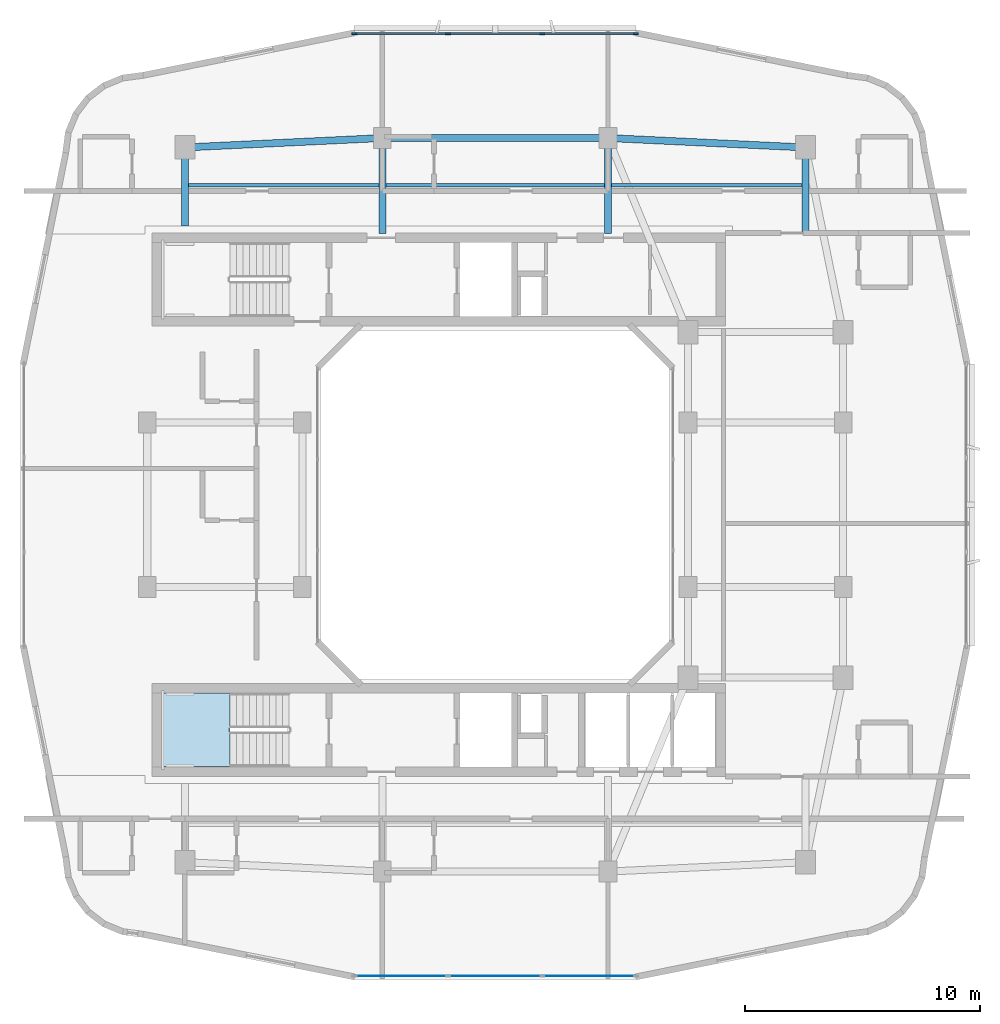
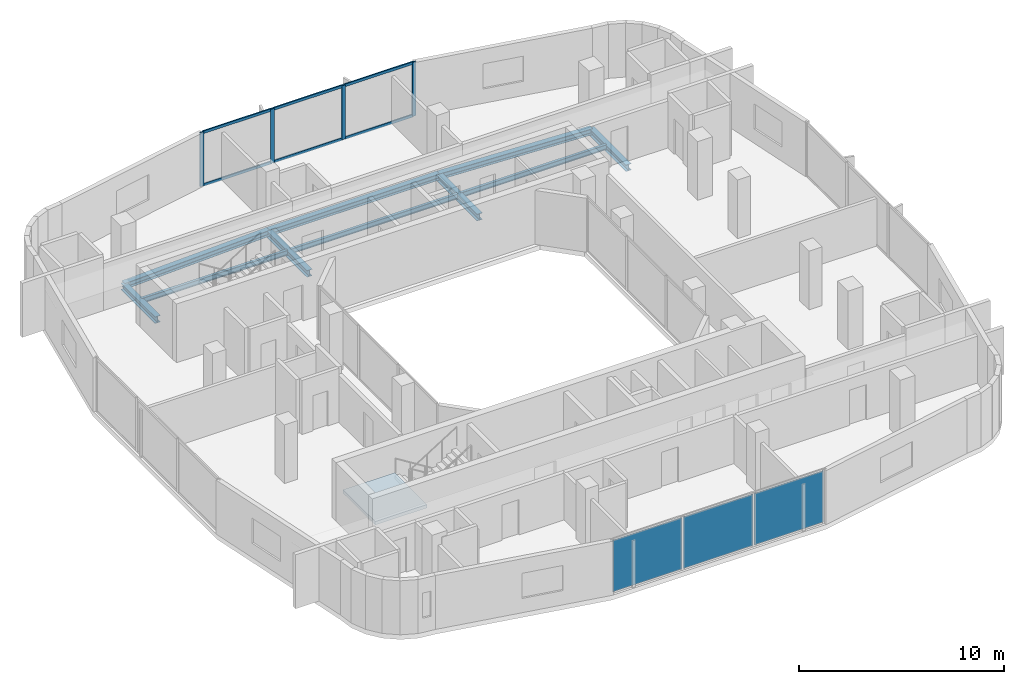
# One storey, part 5 of 14: 10 beams, 10 members, 3 plates, 1 slab, 3 elements without a shape of their own.
"""IFC4 building model written with IfcOpenShell, lengths in metres."""

from ifc_helpers import new_model, si_unit, derived_unit, direction, frame, origin, origin_2d, place, context, subcontext, project, spatial, polyline, rectangle, i_section, outline, extrude, material, layer, layer_set, material_profile, profile_set, type_object, element, aggregate, save


model = new_model("IFC4")

# Units and contexts
model_context = context("Model", 3, precision=1e-05, world=origin(), true_north=direction((0.0, 1.0)))
body_context = subcontext(model_context, "Body", "Model", "MODEL_VIEW")
ifc_project = project(units=[si_unit("LENGTHUNIT", "METRE"), si_unit("AREAUNIT", "SQUARE_METRE"), si_unit("VOLUMEUNIT", "CUBIC_METRE"), si_unit("PLANEANGLEUNIT", "RADIAN"), si_unit("MASSUNIT", "GRAM", prefix="KILO"), derived_unit("THERMALTRANSMITTANCEUNIT", [(si_unit("POWERUNIT", "WATT"), 1), (si_unit("LENGTHUNIT", "METRE"), -2), (si_unit("THERMODYNAMICTEMPERATUREUNIT", "KELVIN"), -1)])], contexts=[model_context])

# Site, building, storey
site_placement = place(None, origin())
site = spatial("IfcSite", under=ifc_project, at=site_placement, CompositionType="ELEMENT")
building_placement = place(site_placement, origin())
building = spatial("IfcBuilding", under=site, at=building_placement, Name="Kivonza Crest Hotel", CompositionType="ELEMENT")
storey_placement = place(building_placement, frame((0.0, 0.0, 145.0)))
storey = spatial("IfcBuildingStorey", under=building, at=storey_placement, Name="L39", CompositionType="ELEMENT", Elevation=145.0)

# Beams
ifc_material_1 = material(Name="Steel S355", Category="steel")
ifc_material_profile_1 = material_profile(ifc_material_1, i_section(OverallWidth=0.300048828125, OverallDepth=0.360107421875, WebThickness=0.012451171875, FlangeThickness=0.0224609375, FilletRadius=0.027099609375, at=origin_2d()), Name="HEB 360")
ifc_profile_set_1 = profile_set([ifc_material_profile_1], Name="Steel S355")
beam_type_1 = type_object("IfcBeamType", Name="BM-HEB360", PredefinedType="SPANDREL", material=ifc_profile_set_1)
beam_1_placement = place(storey_placement, frame((34.199951171875, 40.199951171875, -0.4599609375), z_axis=(-0.998867283688, 0.047583080799, 0.0), x_axis=(-0.047583080799, -0.998867283688, 0.0)))
element("IfcBeam", 1, at=beam_1_placement, inside=storey, type_object=beam_type_1, Name="Tower T1 L39 perimeter spandrel NE-N2", PredefinedType="SPANDREL", context=body_context, shape_type="SweptSolid", body=[
    extrude(i_section(OverallWidth=0.300048828125, OverallDepth=0.360107421875, WebThickness=0.012451171875, FlangeThickness=0.0224609375, FilletRadius=0.027099609375, at=origin_2d()), origin(), (0.0, 0.0, 1.0), 8.409423828125),
])
beam_2_placement = place(storey_placement, frame((25.800048828125, 40.60009765625, -0.4599609375), z_axis=(-1.0, 0.0, 0.0), x_axis=(0.0, -1.0, 0.0)))
element("IfcBeam", 2, at=beam_2_placement, inside=storey, type_object=beam_type_1, Name="Tower T1 L39 perimeter spandrel N2-N1", PredefinedType="SPANDREL", context=body_context, shape_type="SweptSolid", body=[
    extrude(i_section(OverallWidth=0.300048828125, OverallDepth=0.360107421875, WebThickness=0.012451171875, FlangeThickness=0.0224609375, FilletRadius=0.027099609375, at=origin_2d()), origin(), (0.0, 0.0, 1.0), 9.60009765625),
])
beam_3_placement = place(storey_placement, frame((16.199951171875, 40.60009765625, -0.4599609375), z_axis=(-0.998867283688, -0.047583080799, 0.0), x_axis=(0.047583080799, -0.998867283688, 0.0)))
element("IfcBeam", 3, at=beam_3_placement, inside=storey, type_object=beam_type_1, Name="Tower T1 L39 perimeter spandrel N1-NW", PredefinedType="SPANDREL", context=body_context, shape_type="SweptSolid", body=[
    extrude(i_section(OverallWidth=0.300048828125, OverallDepth=0.360107421875, WebThickness=0.012451171875, FlangeThickness=0.0224609375, FilletRadius=0.027099609375, at=origin_2d()), origin(), (0.0, 0.0, 1.0), 8.409423828125),
])
ifc_material_profile_2 = material_profile(ifc_material_1, i_section(OverallWidth=0.300048828125, OverallDepth=0.39990234375, WebThickness=0.013427734375, FlangeThickness=0.02392578125, FilletRadius=0.027099609375, at=origin_2d()), Name="HEB 400")
ifc_profile_set_2 = profile_set([ifc_material_profile_2], Name="Steel S355")
beam_type_2 = type_object("IfcBeamType", Name="BM-HEB400", PredefinedType="BEAM", material=ifc_profile_set_2)
beam_4_placement = place(storey_placement, frame((7.800048828125, 40.199951171875, -0.47998046875), z_axis=(0.0, -1.0, 0.0), x_axis=(1.0, 0.0, 0.0)))
element("IfcBeam", 4, at=beam_4_placement, inside=storey, type_object=beam_type_2, Name="Tower T1 L39 radial core girder RNW", PredefinedType="BEAM", context=body_context, shape_type="SweptSolid", body=[
    extrude(i_section(OverallWidth=0.300048828125, OverallDepth=0.39990234375, WebThickness=0.013427734375, FlangeThickness=0.02392578125, FilletRadius=0.027099609375, at=origin_2d()), origin(), (0.0, 0.0, 1.0), 3.349853515625),
])
for number, where, z_axis, x_axis, name in (
    (5, (16.199951171875, 40.60009765625, -0.47998046875), (0.0, -1.0, 0.0), (1.0, 0.0, 0.0), "Tower T1 L39 radial core girder RN1"),
    (6, (25.800048828125, 40.60009765625, -0.47998046875), (0.0, -1.0, 0.0), (1.0, 0.0, 0.0), "Tower T1 L39 radial core girder RN2"),
):
    element("IfcBeam", number, at=place(storey_placement, frame(where, z_axis=z_axis, x_axis=x_axis)), inside=storey, type_object=beam_type_2, Name=name, PredefinedType="BEAM", context=body_context, shape_type="SweptSolid", body=[
        extrude(i_section(OverallWidth=0.300048828125, OverallDepth=0.39990234375, WebThickness=0.013427734375, FlangeThickness=0.02392578125, FilletRadius=0.027099609375, at=origin_2d()), origin(), (0.0, 0.0, 1.0), 4.050048828125),
    ])
beam_5_placement = place(storey_placement, frame((34.199951171875, 40.199951171875, -0.47998046875), z_axis=(0.0, -1.0, 0.0), x_axis=(1.0, 0.0, 0.0)))
element("IfcBeam", 7, at=beam_5_placement, inside=storey, type_object=beam_type_2, Name="Tower T1 L39 radial core girder RNE", PredefinedType="BEAM", context=body_context, shape_type="SweptSolid", body=[
    extrude(i_section(OverallWidth=0.300048828125, OverallDepth=0.39990234375, WebThickness=0.013427734375, FlangeThickness=0.02392578125, FilletRadius=0.027099609375, at=origin_2d()), origin(), (0.0, 0.0, 1.0), 3.64990234375),
])
ifc_material_profile_3 = material_profile(ifc_material_1, i_section(OverallWidth=0.14990234375, OverallDepth=0.300048828125, WebThickness=0.007080078125, FlangeThickness=0.0107421875, FilletRadius=0.014892578125, at=origin_2d()), Name="IPE 300")
ifc_profile_set_3 = profile_set([ifc_material_profile_3], Name="Steel S355")
beam_type_3 = type_object("IfcBeamType", Name="BM-IPE300", PredefinedType="JOIST", material=ifc_profile_set_3)
beam_6_placement = place(storey_placement, frame((7.8798828125, 38.60009765625, -0.429931640625), z_axis=(1.0, 0.0, 0.0), x_axis=(0.0, 1.0, 0.0)))
element("IfcBeam", 8, at=beam_6_placement, inside=storey, type_object=beam_type_3, Name="Tower T1 L39 North-West floor joist", PredefinedType="JOIST", context=body_context, shape_type="SweptSolid", body=[
    extrude(i_section(OverallWidth=0.14990234375, OverallDepth=0.300048828125, WebThickness=0.007080078125, FlangeThickness=0.0107421875, FilletRadius=0.014892578125, at=origin_2d()), origin(), (0.0, 0.0, 1.0), 8.240234375),
])
beam_7_placement = place(storey_placement, frame((16.280029296875, 38.60009765625, -0.429931640625), z_axis=(1.0, 0.0, 0.0), x_axis=(0.0, 1.0, 0.0)))
element("IfcBeam", 9, at=beam_7_placement, inside=storey, type_object=beam_type_3, Name="Tower T1 L39 North-Mid floor joist", PredefinedType="JOIST", context=body_context, shape_type="SweptSolid", body=[
    extrude(i_section(OverallWidth=0.14990234375, OverallDepth=0.300048828125, WebThickness=0.007080078125, FlangeThickness=0.0107421875, FilletRadius=0.014892578125, at=origin_2d()), origin(), (0.0, 0.0, 1.0), 9.43994140625),
])
beam_8_placement = place(storey_placement, frame((25.8798828125, 38.60009765625, -0.429931640625), z_axis=(1.0, 0.0, 0.0), x_axis=(0.0, 1.0, 0.0)))
element("IfcBeam", 10, at=beam_8_placement, inside=storey, type_object=beam_type_3, Name="Tower T1 L39 North-East floor joist", PredefinedType="JOIST", context=body_context, shape_type="SweptSolid", body=[
    extrude(i_section(OverallWidth=0.14990234375, OverallDepth=0.300048828125, WebThickness=0.007080078125, FlangeThickness=0.0107421875, FilletRadius=0.014892578125, at=origin_2d()), origin(), (0.0, 0.0, 1.0), 8.240234375),
])

# Curtain wall, members
ifc_material_2 = material(Name="Anodised bronze aluminium and low-E double glazing", Category="aluminium")
ifc_layer_1 = layer(ifc_material_2, 0.179931640625)
ifc_layer_set_1 = layer_set([ifc_layer_1], Name="Anodised bronze aluminium and low-E double glazing")
curtain_wall_type = type_object("IfcCurtainWallType", Name="CW-SYS-3", PredefinedType="NOTDEFINED", material=ifc_layer_set_1)
curtain_wall_1_placement = place(storey_placement, origin())
curtain_wall_1 = element("IfcCurtainWall", 11, at=curtain_wall_1_placement, inside=storey, type_object=curtain_wall_type, Name="L39 unitised curtain wall CW-T1-L39-26", PredefinedType="NOTDEFINED")
ifc_material_3 = material(Name="Anodised bronze aluminium", Category="aluminium")
ifc_material_profile_4 = material_profile(ifc_material_3, rectangle(XDim=0.074951171875, YDim=0.219970703125, at=origin_2d()), Name="CW-M 75x220")
ifc_profile_set_4 = profile_set([ifc_material_profile_4], Name="Anodised bronze aluminium")
member_type_1 = type_object("IfcMemberType", Name="CW-MUL-75x220", PredefinedType="MULLION", material=ifc_profile_set_4)
member_1_placement = place(storey_placement, frame((26.982421875, 45.0400390625, 0.0), z_axis=(0.0, 0.0, 1.0), x_axis=(0.0, -1.0, 0.0)))
member_1 = element("IfcMember", 12, at=member_1_placement, type_object=member_type_1, Name="CW-3 mullion 1", PredefinedType="MULLION", context=body_context, shape_type="SweptSolid", body=[
    extrude(rectangle(XDim=0.074951171875, YDim=0.219970703125, at=origin_2d()), origin(), (0.0, 0.0, 1.0), 3.219970703125),
])
member_2_placement = place(storey_placement, frame((23.006591796875, 45.0400390625, 0.0), z_axis=(0.0, 0.0, 1.0), x_axis=(0.0, -1.0, 0.0)))
member_2 = element("IfcMember", 13, at=member_2_placement, type_object=member_type_1, Name="CW-3 mullion 2", PredefinedType="MULLION", context=body_context, shape_type="SweptSolid", body=[
    extrude(rectangle(XDim=0.074951171875, YDim=0.219970703125, at=origin_2d()), origin(), (0.0, 0.0, 1.0), 3.219970703125),
])
member_3_placement = place(storey_placement, frame((18.993408203125, 45.0400390625, 0.0), z_axis=(0.0, 0.0, 1.0), x_axis=(0.0, -1.0, 0.0)))
member_3 = element("IfcMember", 14, at=member_3_placement, type_object=member_type_1, Name="CW-3 mullion 3", PredefinedType="MULLION", context=body_context, shape_type="SweptSolid", body=[
    extrude(rectangle(XDim=0.074951171875, YDim=0.219970703125, at=origin_2d()), origin(), (0.0, 0.0, 1.0), 3.219970703125),
])
member_4_placement = place(storey_placement, frame((15.017578125, 45.0400390625, 0.0), z_axis=(0.0, 0.0, 1.0), x_axis=(0.0, -1.0, 0.0)))
member_4 = element("IfcMember", 15, at=member_4_placement, type_object=member_type_1, Name="CW-3 mullion 4", PredefinedType="MULLION", context=body_context, shape_type="SweptSolid", body=[
    extrude(rectangle(XDim=0.074951171875, YDim=0.219970703125, at=origin_2d()), origin(), (0.0, 0.0, 1.0), 3.219970703125),
])
ifc_material_profile_5 = material_profile(ifc_material_3, rectangle(XDim=0.074951171875, YDim=0.159912109375, at=origin_2d()), Name="CW-T 75x160")
ifc_profile_set_5 = profile_set([ifc_material_profile_5], Name="Anodised bronze aluminium")
member_type_2 = type_object("IfcMemberType", Name="CW-TRN-75x160", PredefinedType="USERDEFINED", material=ifc_profile_set_5)
member_5_placement = place(storey_placement, frame((26.945068359375, 45.0400390625, 0.03759765625), z_axis=(-1.0, 0.0, 0.0), x_axis=(0.0, -1.0, 0.0)))
member_5 = element("IfcMember", 16, at=member_5_placement, type_object=member_type_2, Name="CW-3 transom 1.1", ObjectType="TRANSOM", PredefinedType="USERDEFINED", context=body_context, shape_type="SweptSolid", body=[
    extrude(rectangle(XDim=0.074951171875, YDim=0.159912109375, at=origin_2d()), origin(), (0.0, 0.0, 1.0), 3.90087890625),
])
member_6_placement = place(storey_placement, frame((26.945068359375, 45.0400390625, 3.1826171875), z_axis=(-1.0, 0.0, 0.0), x_axis=(0.0, -1.0, 0.0)))
member_6 = element("IfcMember", 17, at=member_6_placement, type_object=member_type_2, Name="CW-3 transom 1.2", ObjectType="TRANSOM", PredefinedType="USERDEFINED", context=body_context, shape_type="SweptSolid", body=[
    extrude(rectangle(XDim=0.074951171875, YDim=0.159912109375, at=origin_2d()), origin(), (0.0, 0.0, 1.0), 3.90087890625),
])
member_7_placement = place(storey_placement, frame((22.96923828125, 45.0400390625, 0.03759765625), z_axis=(-1.0, 0.0, 0.0), x_axis=(0.0, -1.0, 0.0)))
member_7 = element("IfcMember", 18, at=member_7_placement, type_object=member_type_2, Name="CW-3 transom 2.1", ObjectType="TRANSOM", PredefinedType="USERDEFINED", context=body_context, shape_type="SweptSolid", body=[
    extrude(rectangle(XDim=0.074951171875, YDim=0.159912109375, at=origin_2d()), origin(), (0.0, 0.0, 1.0), 3.9384765625),
])
member_8_placement = place(storey_placement, frame((22.96923828125, 45.0400390625, 3.1826171875), z_axis=(-1.0, 0.0, 0.0), x_axis=(0.0, -1.0, 0.0)))
member_8 = element("IfcMember", 19, at=member_8_placement, type_object=member_type_2, Name="CW-3 transom 2.2", ObjectType="TRANSOM", PredefinedType="USERDEFINED", context=body_context, shape_type="SweptSolid", body=[
    extrude(rectangle(XDim=0.074951171875, YDim=0.159912109375, at=origin_2d()), origin(), (0.0, 0.0, 1.0), 3.9384765625),
])
member_9_placement = place(storey_placement, frame((18.955810546875, 45.0400390625, 0.03759765625), z_axis=(-1.0, 0.0, 0.0), x_axis=(0.0, -1.0, 0.0)))
member_9 = element("IfcMember", 20, at=member_9_placement, type_object=member_type_2, Name="CW-3 transom 3.1", ObjectType="TRANSOM", PredefinedType="USERDEFINED", context=body_context, shape_type="SweptSolid", body=[
    extrude(rectangle(XDim=0.074951171875, YDim=0.159912109375, at=origin_2d()), origin(), (0.0, 0.0, 1.0), 3.90087890625),
])
member_10_placement = place(storey_placement, frame((18.955810546875, 45.0400390625, 3.1826171875), z_axis=(-1.0, 0.0, 0.0), x_axis=(0.0, -1.0, 0.0)))
member_10 = element("IfcMember", 21, at=member_10_placement, type_object=member_type_2, Name="CW-3 transom 3.2", ObjectType="TRANSOM", PredefinedType="USERDEFINED", context=body_context, shape_type="SweptSolid", body=[
    extrude(rectangle(XDim=0.074951171875, YDim=0.159912109375, at=origin_2d()), origin(), (0.0, 0.0, 1.0), 3.90087890625),
])
aggregate(curtain_wall_1, [member_1, member_2, member_3, member_4, member_5, member_6, member_7, member_8, member_9, member_10])

# Curtain wall, plates
curtain_wall_2_placement = place(storey_placement, origin())
curtain_wall_2 = element("IfcCurtainWall", 22, at=curtain_wall_2_placement, inside=storey, type_object=curtain_wall_type, Name="L39 unitised curtain wall CW-T1-L39-08", PredefinedType="NOTDEFINED")
ifc_material_4 = material(Name="Acoustic triple-laminated low-E glazing", Category="glass")
ifc_layer_2 = layer(ifc_material_4, 0.035888671875)
ifc_layer_set_2 = layer_set([ifc_layer_2], Name="Acoustic triple-laminated low-E glazing")
plate_type = type_object("IfcPlateType", Name="CW-PNL-36", PredefinedType="CURTAIN_PANEL", material=ifc_layer_set_2)
plate_1_placement = place(storey_placement, frame((17.00537109375, 4.9599609375, 0.0751953125), z_axis=(0.0, 0.0, 1.0), x_axis=(1.0, 0.0, 0.0)))
plate_1 = element("IfcPlate", 23, at=plate_1_placement, type_object=plate_type, Name="CW-3 panel 1.1", PredefinedType="CURTAIN_PANEL", context=body_context, shape_type="SweptSolid", body=[
    extrude(rectangle(XDim=3.90087890625, YDim=0.035888671875, at=origin_2d()), origin(), (0.0, 0.0, 1.0), 3.070068359375),
])
plate_2_placement = place(storey_placement, frame((21.0, 4.9599609375, 0.0751953125), z_axis=(0.0, 0.0, 1.0), x_axis=(1.0, 0.0, 0.0)))
plate_2 = element("IfcPlate", 24, at=plate_2_placement, type_object=plate_type, Name="CW-3 panel 2.1", PredefinedType="CURTAIN_PANEL", context=body_context, shape_type="SweptSolid", body=[
    extrude(rectangle(XDim=3.938232421875, YDim=0.035888671875, at=origin_2d()), origin(), (0.0, 0.0, 1.0), 3.070068359375),
])
plate_3_placement = place(storey_placement, frame((24.99462890625, 4.9599609375, 0.0751953125), z_axis=(0.0, 0.0, 1.0), x_axis=(1.0, 0.0, 0.0)))
plate_3 = element("IfcPlate", 25, at=plate_3_placement, type_object=plate_type, Name="CW-3 panel 3.1", PredefinedType="CURTAIN_PANEL", context=body_context, shape_type="SweptSolid", body=[
    extrude(rectangle(XDim=3.90087890625, YDim=0.035888671875, at=origin_2d()), origin(), (0.0, 0.0, 1.0), 3.070068359375),
])
aggregate(curtain_wall_2, [plate_1, plate_2, plate_3])

# Stair, slab
ifc_material_5 = material(Name="Concrete C40/50", Category="concrete")
stair_type = type_object("IfcStairType", Name="ST-DL-20R", PredefinedType="HALF_TURN_STAIR", material=ifc_material_5)
stair_placement = place(storey_placement, origin())
stair = element("IfcStair", 26, at=stair_placement, inside=storey, type_object=stair_type, Name="L39 Protected Exit Stair ST-T1-S", PredefinedType="HALF_TURN_STAIR")
ifc_layer_3 = layer(ifc_material_5, 0.199951171875)
ifc_layer_set_3 = layer_set([ifc_layer_3], Name="Concrete C40/50")
slab_type = type_object("IfcSlabType", Name="SL-LAND-200", PredefinedType="LANDING", material=ifc_layer_set_3)
slab_placement = place(storey_placement, frame((0.0, 0.0, 1.550048828125)))
slab = element("IfcSlab", 27, at=slab_placement, type_object=slab_type, Name="ST-T1-S landing 1", PredefinedType="LANDING", context=body_context, shape_type="SweptSolid", body=[
    extrude(outline(polyline([(9.719970703125, 17.0), (6.800048828125, 17.0), (6.800048828125, 13.860107421875), (9.719970703125, 13.860107421875), (9.719970703125, 17.0)])), origin(), (0.0, 0.0, 1.0), 0.199951171875),
])
aggregate(stair, [slab])

save(model, "model.ifc")
